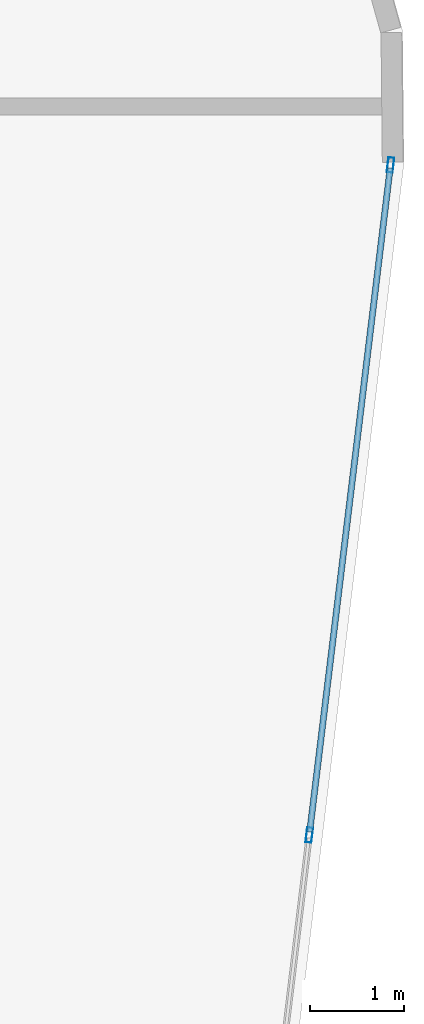
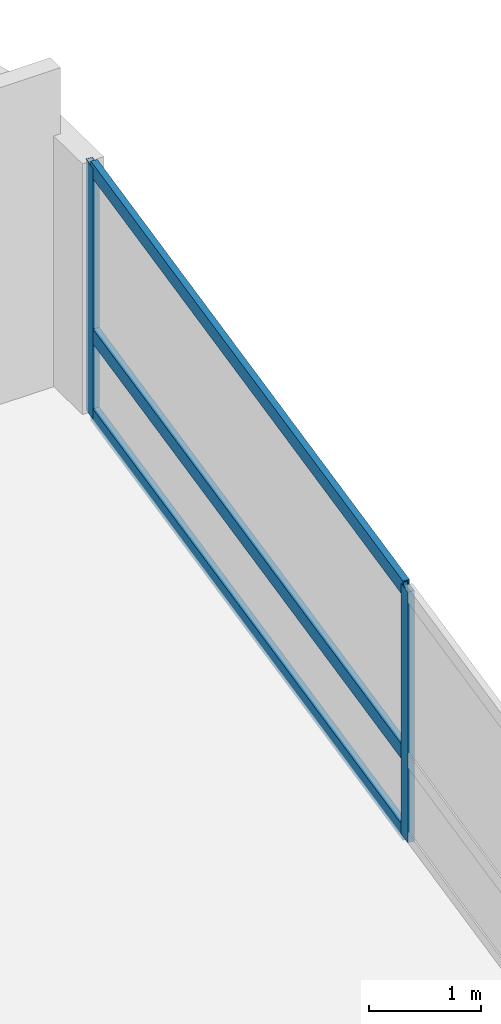
# One storey, part 18 of 26: 5 members, 1 element without a shape of its own.
"""IFC4 building model written with IfcOpenShell, lengths in metres."""

from ifc_helpers import new_model, si_unit, direction, frame, origin, origin_2d, place, context, subcontext, project, spatial, hollow_rectangle, extrude, material, layer, layer_set, material_profile, profile_set, type_object, element, aggregate, save


model = new_model("IFC4")

# Units and contexts
model_context = context("Model", 3, precision=1e-05, world=origin(), true_north=direction((0.0, 1.0)))
body_context = subcontext(model_context, "Body", "Model", "MODEL_VIEW")
ifc_project = project(units=[si_unit("LENGTHUNIT", "METRE"), si_unit("AREAUNIT", "SQUARE_METRE"), si_unit("VOLUMEUNIT", "CUBIC_METRE"), si_unit("PLANEANGLEUNIT", "RADIAN"), si_unit("MASSUNIT", "GRAM", prefix="KILO")], contexts=[model_context])

# Site, building, storey
site_placement = place(None, origin())
site = spatial("IfcSite", under=ifc_project, at=site_placement, CompositionType="ELEMENT")
building_placement = place(site_placement, origin())
building = spatial("IfcBuilding", under=site, at=building_placement, Name="Varnelok Gate Tower", CompositionType="ELEMENT")
storey_placement = place(building_placement, frame((0.0, 0.0, 129.10009765625)))
storey = spatial("IfcBuildingStorey", under=building, at=storey_placement, Name="L32", CompositionType="ELEMENT", Elevation=129.10009765625)

# Curtain wall, members
ifc_material = material(Name="Anodized Aluminum Alloy 6063-T6", Category="aluminium")
ifc_layer = layer(ifc_material, 0.179931640625)
ifc_layer_set = layer_set([ifc_layer], Name="Anodized Aluminum Alloy 6063-T6")
curtain_wall_type = type_object("IfcCurtainWallType", Name="CW3-HOTEL-VISION", PredefinedType="USERDEFINED", material=ifc_layer_set)
curtain_wall_placement = place(storey_placement, origin())
curtain_wall = element("IfcCurtainWall", 1, at=curtain_wall_placement, inside=storey, type_object=curtain_wall_type, Name="L32 East End Vision Curtain Wall", ObjectType="UNITISED CURTAIN WALL", PredefinedType="USERDEFINED")
ifc_material_profile_1 = material_profile(ifc_material, hollow_rectangle(XDim=0.06494140625, YDim=0.159912109375, WallThickness=0.00390625, at=origin_2d()), Name="ALU160X65X4")
ifc_profile_set_1 = profile_set([ifc_material_profile_1], Name="Anodized Aluminum Alloy 6063-T6")
member_type_1 = type_object("IfcMemberType", Name="CW-MULL-160", PredefinedType="MULLION", material=ifc_profile_set_1)
member_1_placement = place(storey_placement, frame((78.153076171875, 38.677001953125, 0.0), z_axis=(0.0, 0.0, 1.0), x_axis=(0.99273188146, -0.120347046212, 0.0)))
member_1 = element("IfcMember", 2, at=member_1_placement, type_object=member_type_1, Name="CW3 mullion 1", PredefinedType="MULLION", context=body_context, shape_type="SweptSolid", body=[
    extrude(hollow_rectangle(XDim=0.06494140625, YDim=0.159912109375, WallThickness=0.00390625, at=origin_2d()), origin(), (0.0, 0.0, 1.0), 2.72998046875),
])
member_2_placement = place(storey_placement, frame((77.290283203125, 31.5615234375, 0.0), z_axis=(0.0, 0.0, 1.0), x_axis=(0.99273188146, -0.120347046212, 0.0)))
member_2 = element("IfcMember", 3, at=member_2_placement, type_object=member_type_1, Name="CW3 mullion 2", PredefinedType="MULLION", context=body_context, shape_type="SweptSolid", body=[
    extrude(hollow_rectangle(XDim=0.06494140625, YDim=0.159912109375, WallThickness=0.00390625, at=origin_2d()), origin(), (0.0, 0.0, 1.0), 2.72998046875),
])
ifc_material_profile_2 = material_profile(ifc_material, hollow_rectangle(XDim=0.06494140625, YDim=0.159912109375, WallThickness=0.00390625, at=origin_2d()), Name="ALU160X65X4")
ifc_profile_set_2 = profile_set([ifc_material_profile_2], Name="Anodized Aluminum Alloy 6063-T6")
member_type_2 = type_object("IfcMemberType", Name="CW-TRAN-160", PredefinedType="USERDEFINED", material=ifc_profile_set_2)
member_3_placement = place(storey_placement, frame((78.149169921875, 38.644775390625, 0.032470703125), z_axis=(-0.120374481497, -0.992728555147, 0.0), x_axis=(0.992728555147, -0.120374481497, 0.0)))
member_3 = element("IfcMember", 4, at=member_3_placement, type_object=member_type_2, Name="CW3 transom 1.1", ObjectType="TRANSOM", PredefinedType="USERDEFINED", context=body_context, shape_type="SweptSolid", body=[
    extrude(hollow_rectangle(XDim=0.06494140625, YDim=0.159912109375, WallThickness=0.00390625, at=origin_2d()), origin(), (0.0, 0.0, 1.0), 7.102783203125),
])
member_4_placement = place(storey_placement, frame((78.149169921875, 38.644775390625, 0.89990234375), z_axis=(-0.120374481497, -0.992728555147, 0.0), x_axis=(0.992728555147, -0.120374481497, 0.0)))
member_4 = element("IfcMember", 5, at=member_4_placement, type_object=member_type_2, Name="CW3 transom 1.2", ObjectType="TRANSOM", PredefinedType="USERDEFINED", context=body_context, shape_type="SweptSolid", body=[
    extrude(hollow_rectangle(XDim=0.06494140625, YDim=0.159912109375, WallThickness=0.00390625, at=origin_2d()), origin(), (0.0, 0.0, 1.0), 7.102783203125),
])
member_5_placement = place(storey_placement, frame((78.149169921875, 38.644775390625, 2.697509765625), z_axis=(-0.120374481497, -0.992728555147, 0.0), x_axis=(0.992728555147, -0.120374481497, 0.0)))
member_5 = element("IfcMember", 6, at=member_5_placement, type_object=member_type_2, Name="CW3 transom 1.3", ObjectType="TRANSOM", PredefinedType="USERDEFINED", context=body_context, shape_type="SweptSolid", body=[
    extrude(hollow_rectangle(XDim=0.06494140625, YDim=0.159912109375, WallThickness=0.00390625, at=origin_2d()), origin(), (0.0, 0.0, 1.0), 7.102783203125),
])
aggregate(curtain_wall, [member_1, member_2, member_3, member_4, member_5])

save(model, "model.ifc")
